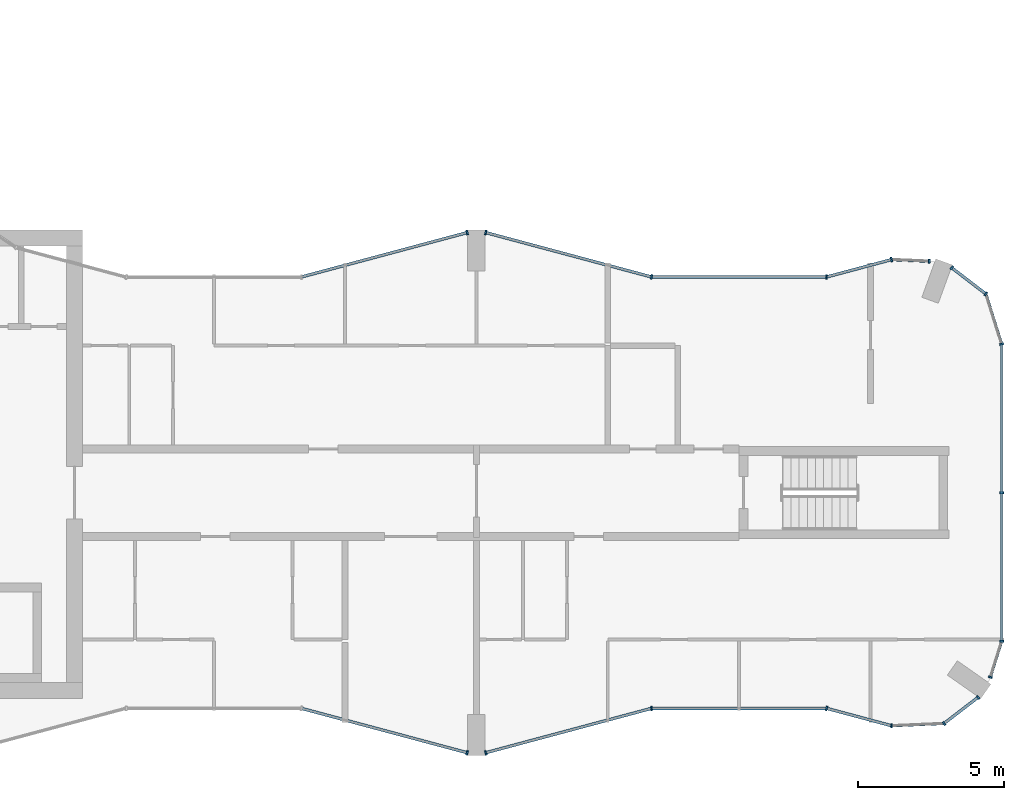
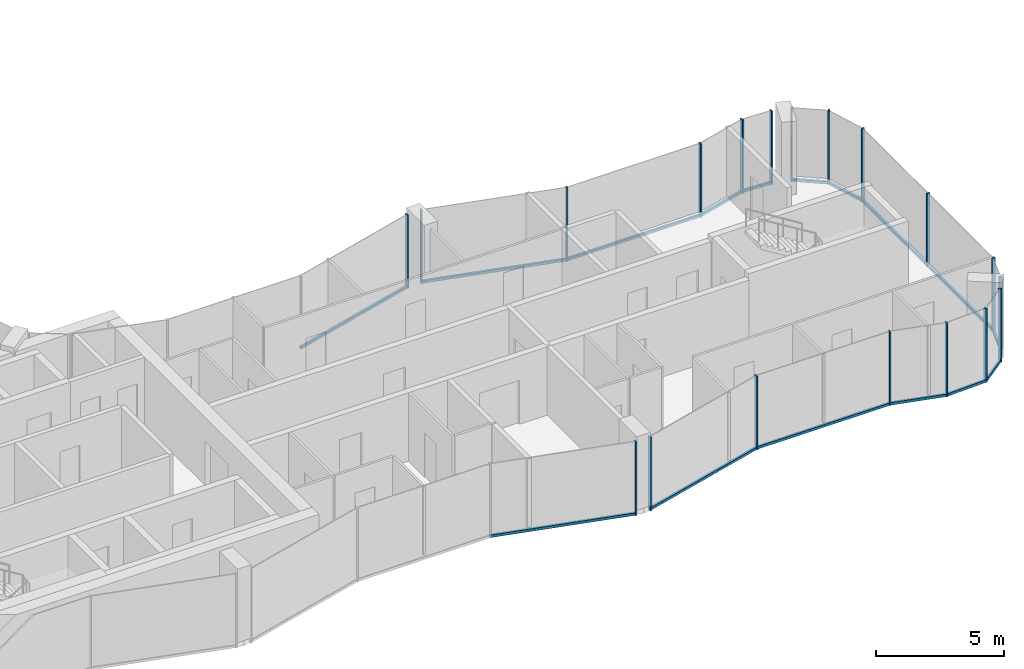
# One storey, part 6 of 15: 34 members, 15 elements without a shape of their own.
"""IFC4 building model written with IfcOpenShell, lengths in metres."""

from ifc_helpers import new_model, si_unit, direction, frame, origin, origin_2d, place, context, subcontext, project, spatial, rectangle, extrude, material, layer, layer_set, material_profile, profile_set, type_object, element, aggregate, save


model = new_model("IFC4")

# Units and contexts
model_context = context("Model", 3, precision=1e-05, world=origin(), true_north=direction((0.0, 1.0)))
body_context = subcontext(model_context, "Body", "Model", "MODEL_VIEW")
ifc_project = project(units=[si_unit("LENGTHUNIT", "METRE"), si_unit("AREAUNIT", "SQUARE_METRE"), si_unit("VOLUMEUNIT", "CUBIC_METRE"), si_unit("PLANEANGLEUNIT", "RADIAN"), si_unit("MASSUNIT", "GRAM", prefix="KILO")], contexts=[model_context])

# Site, building, storey
site_placement = place(None, origin())
site = spatial("IfcSite", under=ifc_project, at=site_placement, CompositionType="ELEMENT")
building_placement = place(site_placement, origin())
building = spatial("IfcBuilding", under=site, at=building_placement, Name="Plateau Cross Towers", CompositionType="ELEMENT")
storey_placement = place(building_placement, frame((0.0, 0.0, 201.39990234375)))
storey = spatial("IfcBuildingStorey", under=building, at=storey_placement, Name="L52", CompositionType="ELEMENT", Elevation=201.39990234375)

# Curtain wall, member
ifc_material_1 = material(Name="Dark low-iron glass", Category="glass")
ifc_layer_1 = layer(ifc_material_1, 0.239990234375)
ifc_layer_set_1 = layer_set([ifc_layer_1], Name="Dark low-iron glass")
curtain_wall_type_1 = type_object("IfcCurtainWallType", Name="Curtain wall flush unitised CW-B", PredefinedType="NOTDEFINED", material=ifc_layer_set_1)
curtain_wall_1_placement = place(storey_placement, origin())
curtain_wall_1 = element("IfcCurtainWall", 1, at=curtain_wall_1_placement, inside=storey, type_object=curtain_wall_type_1, Name="ENV/A/L52/A502_10", PredefinedType="NOTDEFINED")
ifc_material_2 = material(Name="Black anodised aluminium", Category="aluminium")
ifc_material_profile_1 = material_profile(ifc_material_2, rectangle(XDim=0.06005859375, YDim=0.139892578125, at=origin_2d()), Name="MULLION 60x140")
ifc_profile_set_1 = profile_set([ifc_material_profile_1], Name="Black anodised aluminium")
member_type_1 = type_object("IfcMemberType", Name="Mullion 60x140 flush unitised", PredefinedType="MULLION", material=ifc_profile_set_1)
member_1_placement = place(storey_placement, frame((50.223876953125, 1.01123046875, -0.25), z_axis=(0.0, 0.0, 1.0), x_axis=(0.999043701491, 0.043722791671, 0.0)))
member_1 = element("IfcMember", 2, at=member_1_placement, type_object=member_type_1, Name="CW-B mullion 1", PredefinedType="MULLION", context=body_context, shape_type="SweptSolid", body=[
    extrude(rectangle(XDim=0.06005859375, YDim=0.139892578125, at=origin_2d()), origin(), (0.0, 0.0, 1.0), 3.5),
])

# Curtain wall, members
curtain_wall_2_placement = place(storey_placement, origin())
curtain_wall_2 = element("IfcCurtainWall", 3, at=curtain_wall_2_placement, inside=storey, type_object=curtain_wall_type_1, Name="ENV/A/L52/A520_11", PredefinedType="NOTDEFINED")
member_2_placement = place(storey_placement, frame((52.0263671875, 1.090087890625, -0.25), z_axis=(0.0, 0.0, 1.0), x_axis=(0.793315514529, 0.608810721331, 0.0)))
member_2 = element("IfcMember", 4, at=member_2_placement, type_object=member_type_1, Name="CW-B mullion 1", PredefinedType="MULLION", context=body_context, shape_type="SweptSolid", body=[
    extrude(rectangle(XDim=0.06005859375, YDim=0.139892578125, at=origin_2d()), origin(), (0.0, 0.0, 1.0), 3.5),
])
member_3_placement = place(storey_placement, frame((53.193603515625, 1.986083984375, -0.25), z_axis=(0.0, 0.0, 1.0), x_axis=(0.793315514529, 0.608810721331, 0.0)))
member_3 = element("IfcMember", 5, at=member_3_placement, type_object=member_type_1, Name="CW-B mullion 2", PredefinedType="MULLION", context=body_context, shape_type="SweptSolid", body=[
    extrude(rectangle(XDim=0.06005859375, YDim=0.139892578125, at=origin_2d()), origin(), (0.0, 0.0, 1.0), 3.5),
])

# Curtain wall, member
curtain_wall_3_placement = place(storey_placement, origin())
curtain_wall_3 = element("IfcCurtainWall", 6, at=curtain_wall_3_placement, inside=storey, type_object=curtain_wall_type_1, Name="ENV/A/L52/A536_27", PredefinedType="NOTDEFINED")
member_4_placement = place(storey_placement, frame((53.611083984375, 2.67529296875, -0.25), z_axis=(0.0, 0.0, 1.0), x_axis=(0.300686174994, 0.95372313811, 0.0)))
member_4 = element("IfcMember", 7, at=member_4_placement, type_object=member_type_1, Name="CW-B mullion 1", PredefinedType="MULLION", context=body_context, shape_type="SweptSolid", body=[
    extrude(rectangle(XDim=0.06005859375, YDim=0.139892578125, at=origin_2d()), origin(), (0.0, 0.0, 1.0), 3.5),
])

# Curtain wall, members
curtain_wall_4_placement = place(storey_placement, origin())
curtain_wall_4 = element("IfcCurtainWall", 8, at=curtain_wall_4_placement, inside=storey, type_object=curtain_wall_type_1, Name="ENV/A/L52/A540_39", PredefinedType="NOTDEFINED")
member_5_placement = place(storey_placement, frame((54.0, 3.9091796875, -0.25), z_axis=(0.0, 0.0, 1.0), x_axis=(0.0, 1.0, 0.0)))
member_5 = element("IfcMember", 9, at=member_5_placement, type_object=member_type_1, Name="CW-B mullion 1", PredefinedType="MULLION", context=body_context, shape_type="SweptSolid", body=[
    extrude(rectangle(XDim=0.06005859375, YDim=0.139892578125, at=origin_2d()), origin(), (0.0, 0.0, 1.0), 3.5),
])
member_6_placement = place(storey_placement, frame((54.0, 9.0, -0.25), z_axis=(0.0, 0.0, 1.0), x_axis=(0.0, 1.0, 0.0)))
member_6 = element("IfcMember", 10, at=member_6_placement, type_object=member_type_1, Name="CW-B mullion 2", PredefinedType="MULLION", context=body_context, shape_type="SweptSolid", body=[
    extrude(rectangle(XDim=0.06005859375, YDim=0.139892578125, at=origin_2d()), origin(), (0.0, 0.0, 1.0), 3.5),
])

# Curtain wall, member
curtain_wall_5_placement = place(storey_placement, origin())
curtain_wall_5 = element("IfcCurtainWall", 11, at=curtain_wall_5_placement, inside=storey, type_object=curtain_wall_type_1, Name="ENV/A/L52/A540_141", PredefinedType="NOTDEFINED")
member_7_placement = place(storey_placement, frame((54.0, 14.0908203125, -0.25), z_axis=(0.0, 0.0, 1.0), x_axis=(-0.300686174994, 0.95372313811, 0.0)))
member_7 = element("IfcMember", 12, at=member_7_placement, type_object=member_type_1, Name="CW-B mullion 1", PredefinedType="MULLION", context=body_context, shape_type="SweptSolid", body=[
    extrude(rectangle(XDim=0.06005859375, YDim=0.139892578125, at=origin_2d()), origin(), (0.0, 0.0, 1.0), 3.5),
])

# Curtain wall, members
curtain_wall_6_placement = place(storey_placement, origin())
curtain_wall_6 = element("IfcCurtainWall", 13, at=curtain_wall_6_placement, inside=storey, type_object=curtain_wall_type_1, Name="ENV/A/L52/A535_158", PredefinedType="NOTDEFINED")
member_8_placement = place(storey_placement, frame((53.45751953125, 15.8115234375, -0.25), z_axis=(0.0, 0.0, 1.0), x_axis=(-0.793315514529, 0.608810721331, 0.0)))
member_8 = element("IfcMember", 14, at=member_8_placement, type_object=member_type_1, Name="CW-B mullion 1", PredefinedType="MULLION", context=body_context, shape_type="SweptSolid", body=[
    extrude(rectangle(XDim=0.06005859375, YDim=0.139892578125, at=origin_2d()), origin(), (0.0, 0.0, 1.0), 3.5),
])
member_9_placement = place(storey_placement, frame((52.290283203125, 16.707275390625, -0.25), z_axis=(0.0, 0.0, 1.0), x_axis=(-0.793315514529, 0.608810721331, 0.0)))
member_9 = element("IfcMember", 15, at=member_9_placement, type_object=member_type_1, Name="CW-B mullion 2", PredefinedType="MULLION", context=body_context, shape_type="SweptSolid", body=[
    extrude(rectangle(XDim=0.06005859375, YDim=0.139892578125, at=origin_2d()), origin(), (0.0, 0.0, 1.0), 3.5),
])

# Curtain wall, member
curtain_wall_7_placement = place(storey_placement, origin())
curtain_wall_7 = element("IfcCurtainWall", 16, at=curtain_wall_7_placement, inside=storey, type_object=curtain_wall_type_1, Name="ENV/A/L52/A515_169", PredefinedType="NOTDEFINED")
member_10_placement = place(storey_placement, frame((51.516357421875, 16.93212890625, -0.25), z_axis=(0.0, 0.0, 1.0), x_axis=(-0.999043701491, 0.043722791671, 0.0)))
member_10 = element("IfcMember", 17, at=member_10_placement, type_object=member_type_1, Name="CW-B mullion 1", PredefinedType="MULLION", context=body_context, shape_type="SweptSolid", body=[
    extrude(rectangle(XDim=0.06005859375, YDim=0.139892578125, at=origin_2d()), origin(), (0.0, 0.0, 1.0), 3.5),
])

ifc_layer_2 = layer(ifc_material_1, 0.260009765625)
ifc_layer_set_2 = layer_set([ifc_layer_2], Name="Dark low-iron glass")
curtain_wall_type_2 = type_object("IfcCurtainWallType", Name="Curtain wall fluted unitised CW-A", PredefinedType="NOTDEFINED", material=ifc_layer_set_2)
curtain_wall_8_placement = place(storey_placement, origin())
curtain_wall_8 = element("IfcCurtainWall", 18, at=curtain_wall_8_placement, inside=storey, type_object=curtain_wall_type_2, Name="ENV/A/L52/A300_16", PredefinedType="NOTDEFINED")
ifc_material_profile_2 = material_profile(ifc_material_2, rectangle(XDim=0.06005859375, YDim=0.159912109375, at=origin_2d()), Name="MULLION 60x160")
ifc_profile_set_2 = profile_set([ifc_material_profile_2], Name="Black anodised aluminium")
member_type_2 = type_object("IfcMemberType", Name="Mullion 60x160 fluted unitised", PredefinedType="MULLION", material=ifc_profile_set_2)
member_11_placement = place(storey_placement, frame((35.68212890625, 0.085205078125, -0.25), z_axis=(0.0, 0.0, 1.0), x_axis=(0.965957983404, -0.258699003279, 0.0)))
member_11 = element("IfcMember", 19, at=member_11_placement, type_object=member_type_2, Name="CW-A mullion 2", PredefinedType="MULLION", context=body_context, shape_type="SweptSolid", body=[
    extrude(rectangle(XDim=0.06005859375, YDim=0.159912109375, at=origin_2d()), origin(), (0.0, 0.0, 1.0), 3.5),
])

curtain_wall_9_placement = place(storey_placement, origin())
curtain_wall_9 = element("IfcCurtainWall", 20, at=curtain_wall_9_placement, inside=storey, type_object=curtain_wall_type_2, Name="ENV/A/L52/A363_1", PredefinedType="NOTDEFINED")
member_12_placement = place(storey_placement, frame((36.31787109375, 0.085205078125, -0.25), z_axis=(0.0, 0.0, 1.0), x_axis=(0.965957983404, 0.258699003279, 0.0)))
member_12 = element("IfcMember", 21, at=member_12_placement, type_object=member_type_2, Name="CW-A mullion 1", PredefinedType="MULLION", context=body_context, shape_type="SweptSolid", body=[
    extrude(rectangle(XDim=0.06005859375, YDim=0.159912109375, at=origin_2d()), origin(), (0.0, 0.0, 1.0), 3.5),
])

curtain_wall_10_placement = place(storey_placement, origin())
curtain_wall_10 = element("IfcCurtainWall", 22, at=curtain_wall_10_placement, inside=storey, type_object=curtain_wall_type_2, Name="ENV/A/L52/A420_16", PredefinedType="NOTDEFINED")
member_13_placement = place(storey_placement, frame((42.0, 1.60693359375, -0.25), z_axis=(0.0, 0.0, 1.0), x_axis=(1.0, 0.0, 0.0)))
member_13 = element("IfcMember", 23, at=member_13_placement, type_object=member_type_2, Name="CW-A mullion 1", PredefinedType="MULLION", context=body_context, shape_type="SweptSolid", body=[
    extrude(rectangle(XDim=0.06005859375, YDim=0.159912109375, at=origin_2d()), origin(), (0.0, 0.0, 1.0), 3.5),
])

curtain_wall_11_placement = place(storey_placement, origin())
curtain_wall_11 = element("IfcCurtainWall", 24, at=curtain_wall_11_placement, inside=storey, type_object=curtain_wall_type_2, Name="ENV/A/L52/A480_16", PredefinedType="NOTDEFINED")
member_14_placement = place(storey_placement, frame((48.0, 1.60693359375, -0.25), z_axis=(0.0, 0.0, 1.0), x_axis=(0.965957962328, -0.258699081978, 0.0)))
member_14 = element("IfcMember", 25, at=member_14_placement, type_object=member_type_2, Name="CW-A mullion 1", PredefinedType="MULLION", context=body_context, shape_type="SweptSolid", body=[
    extrude(rectangle(XDim=0.06005859375, YDim=0.159912109375, at=origin_2d()), origin(), (0.0, 0.0, 1.0), 3.5),
])

curtain_wall_12_placement = place(storey_placement, origin())
curtain_wall_12 = element("IfcCurtainWall", 26, at=curtain_wall_12_placement, inside=storey, type_object=curtain_wall_type_2, Name="ENV/A/L52/A502_170", PredefinedType="NOTDEFINED")
member_15_placement = place(storey_placement, frame((50.223876953125, 16.98876953125, -0.25), z_axis=(0.0, 0.0, 1.0), x_axis=(-0.965957962328, -0.258699081978, 0.0)))
member_15 = element("IfcMember", 27, at=member_15_placement, type_object=member_type_2, Name="CW-A mullion 1", PredefinedType="MULLION", context=body_context, shape_type="SweptSolid", body=[
    extrude(rectangle(XDim=0.06005859375, YDim=0.159912109375, at=origin_2d()), origin(), (0.0, 0.0, 1.0), 3.5),
])

curtain_wall_13_placement = place(storey_placement, origin())
curtain_wall_13 = element("IfcCurtainWall", 28, at=curtain_wall_13_placement, inside=storey, type_object=curtain_wall_type_2, Name="ENV/A/L52/A480_164", PredefinedType="NOTDEFINED")
member_16_placement = place(storey_placement, frame((48.0, 16.39306640625, -0.25), z_axis=(0.0, 0.0, 1.0), x_axis=(-1.0, 0.0, 0.0)))
member_16 = element("IfcMember", 29, at=member_16_placement, type_object=member_type_2, Name="CW-A mullion 1", PredefinedType="MULLION", context=body_context, shape_type="SweptSolid", body=[
    extrude(rectangle(XDim=0.06005859375, YDim=0.159912109375, at=origin_2d()), origin(), (0.0, 0.0, 1.0), 3.5),
])

# Curtain wall, members
curtain_wall_14_placement = place(storey_placement, origin())
curtain_wall_14 = element("IfcCurtainWall", 30, at=curtain_wall_14_placement, inside=storey, type_object=curtain_wall_type_2, Name="ENV/A/L52/A420_164", PredefinedType="NOTDEFINED")
member_17_placement = place(storey_placement, frame((42.0, 16.39306640625, -0.25), z_axis=(0.0, 0.0, 1.0), x_axis=(-0.965957983404, 0.258699003279, 0.0)))
member_17 = element("IfcMember", 31, at=member_17_placement, type_object=member_type_2, Name="CW-A mullion 1", PredefinedType="MULLION", context=body_context, shape_type="SweptSolid", body=[
    extrude(rectangle(XDim=0.06005859375, YDim=0.159912109375, at=origin_2d()), origin(), (0.0, 0.0, 1.0), 3.5),
])
member_18_placement = place(storey_placement, frame((36.31787109375, 17.914794921875, -0.25), z_axis=(0.0, 0.0, 1.0), x_axis=(-0.965957983404, 0.258699003279, 0.0)))
member_18 = element("IfcMember", 32, at=member_18_placement, type_object=member_type_2, Name="CW-A mullion 2", PredefinedType="MULLION", context=body_context, shape_type="SweptSolid", body=[
    extrude(rectangle(XDim=0.06005859375, YDim=0.159912109375, at=origin_2d()), origin(), (0.0, 0.0, 1.0), 3.5),
])

# Curtain wall, member
curtain_wall_15_placement = place(storey_placement, origin())
curtain_wall_15 = element("IfcCurtainWall", 33, at=curtain_wall_15_placement, inside=storey, type_object=curtain_wall_type_2, Name="ENV/A/L52/A357_179", PredefinedType="NOTDEFINED")
member_19_placement = place(storey_placement, frame((35.68212890625, 17.914794921875, -0.25), z_axis=(0.0, 0.0, 1.0), x_axis=(-0.965957983404, -0.258699003279, 0.0)))
member_19 = element("IfcMember", 34, at=member_19_placement, type_object=member_type_2, Name="CW-A mullion 1", PredefinedType="MULLION", context=body_context, shape_type="SweptSolid", body=[
    extrude(rectangle(XDim=0.06005859375, YDim=0.159912109375, at=origin_2d()), origin(), (0.0, 0.0, 1.0), 3.5),
])

# Member
ifc_material_profile_3 = material_profile(ifc_material_2, rectangle(XDim=0.10009765625, YDim=0.1201171875, at=origin_2d()), Name="TRANSOM 100x120")
ifc_profile_set_3 = profile_set([ifc_material_profile_3], Name="Black anodised aluminium")
member_type_3 = type_object("IfcMemberType", Name="Transom 100x120 flush unitised", PredefinedType="USERDEFINED", material=ifc_profile_set_3)
member_20_placement = place(storey_placement, frame((50.223876953125, 1.01123046875, -0.18994140625), z_axis=(0.999044377355, 0.043707345779, 0.0), x_axis=(-0.043707345779, 0.999044377355, 0.0)))
member_20 = element("IfcMember", 35, at=member_20_placement, type_object=member_type_3, Name="CW-B transom", ObjectType="TRANSOM", PredefinedType="USERDEFINED", context=body_context, shape_type="SweptSolid", body=[
    extrude(rectangle(XDim=0.10009765625, YDim=0.1201171875, at=origin_2d()), origin(), (0.0, 0.0, 1.0), 1.80419921875),
])

aggregate(curtain_wall_1, [member_1, member_20])

member_21_placement = place(storey_placement, frame((52.0263671875, 1.090087890625, -0.18994140625), z_axis=(0.793240368515, 0.608908628415, 0.0), x_axis=(-0.608908628415, 0.793240368515, 0.0)))
member_21 = element("IfcMember", 36, at=member_21_placement, type_object=member_type_3, Name="CW-B transom", ObjectType="TRANSOM", PredefinedType="USERDEFINED", context=body_context, shape_type="SweptSolid", body=[
    extrude(rectangle(XDim=0.10009765625, YDim=0.1201171875, at=origin_2d()), origin(), (0.0, 0.0, 1.0), 1.471435546875),
])

aggregate(curtain_wall_2, [member_2, member_3, member_21])

member_22_placement = place(storey_placement, frame((53.611083984375, 2.67529296875, -0.18994140625), z_axis=(0.300616528216, 0.953745093284, 0.0), x_axis=(-0.953745093284, 0.300616528216, 0.0)))
member_22 = element("IfcMember", 37, at=member_22_placement, type_object=member_type_3, Name="CW-B transom", ObjectType="TRANSOM", PredefinedType="USERDEFINED", context=body_context, shape_type="SweptSolid", body=[
    extrude(rectangle(XDim=0.10009765625, YDim=0.1201171875, at=origin_2d()), origin(), (0.0, 0.0, 1.0), 1.293701171875),
])

aggregate(curtain_wall_3, [member_4, member_22])

member_23_placement = place(storey_placement, frame((54.0, 3.9091796875, -0.18994140625), z_axis=(0.0, 1.0, 0.0), x_axis=(-1.0, 0.0, 0.0)))
member_23 = element("IfcMember", 38, at=member_23_placement, type_object=member_type_3, Name="CW-B transom", ObjectType="TRANSOM", PredefinedType="USERDEFINED", context=body_context, shape_type="SweptSolid", body=[
    extrude(rectangle(XDim=0.10009765625, YDim=0.1201171875, at=origin_2d()), origin(), (0.0, 0.0, 1.0), 10.181640625),
])

aggregate(curtain_wall_4, [member_5, member_6, member_23])

member_24_placement = place(storey_placement, frame((54.0, 14.0908203125, -0.18994140625), z_axis=(-0.30067799945, 0.953725715626, 0.0), x_axis=(-0.953725715626, -0.30067799945, 0.0)))
member_24 = element("IfcMember", 39, at=member_24_placement, type_object=member_type_3, Name="CW-B transom", ObjectType="TRANSOM", PredefinedType="USERDEFINED", context=body_context, shape_type="SweptSolid", body=[
    extrude(rectangle(XDim=0.10009765625, YDim=0.1201171875, at=origin_2d()), origin(), (0.0, 0.0, 1.0), 1.80419921875),
])

aggregate(curtain_wall_5, [member_7, member_24])

member_25_placement = place(storey_placement, frame((53.45751953125, 15.8115234375, -0.18994140625), z_axis=(-0.793320508571, 0.608804213751, 0.0), x_axis=(-0.608804213751, -0.793320508571, 0.0)))
member_25 = element("IfcMember", 40, at=member_25_placement, type_object=member_type_3, Name="CW-B transom", ObjectType="TRANSOM", PredefinedType="USERDEFINED", context=body_context, shape_type="SweptSolid", body=[
    extrude(rectangle(XDim=0.10009765625, YDim=0.1201171875, at=origin_2d()), origin(), (0.0, 0.0, 1.0), 1.471435546875),
])

aggregate(curtain_wall_6, [member_8, member_9, member_25])

member_26_placement = place(storey_placement, frame((51.516357421875, 16.93212890625, -0.18994140625), z_axis=(-0.999041144614, 0.043781175963, 0.0), x_axis=(-0.043781175963, -0.999041144614, 0.0)))
member_26 = element("IfcMember", 41, at=member_26_placement, type_object=member_type_3, Name="CW-B transom", ObjectType="TRANSOM", PredefinedType="USERDEFINED", context=body_context, shape_type="SweptSolid", body=[
    extrude(rectangle(XDim=0.10009765625, YDim=0.1201171875, at=origin_2d()), origin(), (0.0, 0.0, 1.0), 1.293701171875),
])

aggregate(curtain_wall_7, [member_10, member_26])

ifc_material_profile_4 = material_profile(ifc_material_2, rectangle(XDim=0.10009765625, YDim=0.1201171875, at=origin_2d()), Name="TRANSOM 100x120")
ifc_profile_set_4 = profile_set([ifc_material_profile_4], Name="Black anodised aluminium")
member_type_4 = type_object("IfcMemberType", Name="Transom 100x120 fluted unitised", PredefinedType="USERDEFINED", material=ifc_profile_set_4)
member_27_placement = place(storey_placement, frame((30.0, 1.60693359375, -0.18994140625), z_axis=(0.965959534794, -0.258693210465, 0.0), x_axis=(0.258693210465, 0.965959534794, 0.0)))
member_27 = element("IfcMember", 42, at=member_27_placement, type_object=member_type_4, Name="CW-A transom", ObjectType="TRANSOM", PredefinedType="USERDEFINED", context=body_context, shape_type="SweptSolid", body=[
    extrude(rectangle(XDim=0.10009765625, YDim=0.1201171875, at=origin_2d()), origin(), (0.0, 0.0, 1.0), 5.88232421875),
])

aggregate(curtain_wall_8, [member_11, member_27])

member_28_placement = place(storey_placement, frame((36.31787109375, 0.085205078125, -0.18994140625), z_axis=(0.965959534794, 0.258693210465, 0.0), x_axis=(-0.258693210465, 0.965959534794, 0.0)))
member_28 = element("IfcMember", 43, at=member_28_placement, type_object=member_type_4, Name="CW-A transom", ObjectType="TRANSOM", PredefinedType="USERDEFINED", context=body_context, shape_type="SweptSolid", body=[
    extrude(rectangle(XDim=0.10009765625, YDim=0.1201171875, at=origin_2d()), origin(), (0.0, 0.0, 1.0), 5.88232421875),
])

aggregate(curtain_wall_9, [member_12, member_28])

member_29_placement = place(storey_placement, frame((42.0, 1.60693359375, -0.18994140625), z_axis=(1.0, 0.0, 0.0), x_axis=(0.0, 1.0, 0.0)))
member_29 = element("IfcMember", 44, at=member_29_placement, type_object=member_type_4, Name="CW-A transom", ObjectType="TRANSOM", PredefinedType="USERDEFINED", context=body_context, shape_type="SweptSolid", body=[
    extrude(rectangle(XDim=0.10009765625, YDim=0.1201171875, at=origin_2d()), origin(), (0.0, 0.0, 1.0), 6.0),
])

aggregate(curtain_wall_10, [member_13, member_29])

member_30_placement = place(storey_placement, frame((48.0, 1.60693359375, -0.18994140625), z_axis=(0.965945685136, -0.258744919501, 0.0), x_axis=(0.258744919501, 0.965945685136, 0.0)))
member_30 = element("IfcMember", 45, at=member_30_placement, type_object=member_type_4, Name="CW-A transom", ObjectType="TRANSOM", PredefinedType="USERDEFINED", context=body_context, shape_type="SweptSolid", body=[
    extrude(rectangle(XDim=0.10009765625, YDim=0.1201171875, at=origin_2d()), origin(), (0.0, 0.0, 1.0), 2.30224609375),
])

aggregate(curtain_wall_11, [member_14, member_30])

member_31_placement = place(storey_placement, frame((50.223876953125, 16.98876953125, -0.18994140625), z_axis=(-0.965945685136, -0.258744919501, 0.0), x_axis=(0.258744919501, -0.965945685136, 0.0)))
member_31 = element("IfcMember", 46, at=member_31_placement, type_object=member_type_4, Name="CW-A transom", ObjectType="TRANSOM", PredefinedType="USERDEFINED", context=body_context, shape_type="SweptSolid", body=[
    extrude(rectangle(XDim=0.10009765625, YDim=0.1201171875, at=origin_2d()), origin(), (0.0, 0.0, 1.0), 2.30224609375),
])

aggregate(curtain_wall_12, [member_15, member_31])

member_32_placement = place(storey_placement, frame((48.0, 16.39306640625, -0.18994140625), z_axis=(-1.0, 0.0, 0.0), x_axis=(0.0, -1.0, 0.0)))
member_32 = element("IfcMember", 47, at=member_32_placement, type_object=member_type_4, Name="CW-A transom", ObjectType="TRANSOM", PredefinedType="USERDEFINED", context=body_context, shape_type="SweptSolid", body=[
    extrude(rectangle(XDim=0.10009765625, YDim=0.1201171875, at=origin_2d()), origin(), (0.0, 0.0, 1.0), 6.0),
])

aggregate(curtain_wall_13, [member_16, member_32])

member_33_placement = place(storey_placement, frame((42.0, 16.39306640625, -0.18994140625), z_axis=(-0.965959534794, 0.258693210465, 0.0), x_axis=(-0.258693210465, -0.965959534794, 0.0)))
member_33 = element("IfcMember", 48, at=member_33_placement, type_object=member_type_4, Name="CW-A transom", ObjectType="TRANSOM", PredefinedType="USERDEFINED", context=body_context, shape_type="SweptSolid", body=[
    extrude(rectangle(XDim=0.10009765625, YDim=0.1201171875, at=origin_2d()), origin(), (0.0, 0.0, 1.0), 5.88232421875),
])

aggregate(curtain_wall_14, [member_17, member_18, member_33])

member_34_placement = place(storey_placement, frame((35.68212890625, 17.914794921875, -0.18994140625), z_axis=(-0.965959534794, -0.258693210465, 0.0), x_axis=(0.258693210465, -0.965959534794, 0.0)))
member_34 = element("IfcMember", 49, at=member_34_placement, type_object=member_type_4, Name="CW-A transom", ObjectType="TRANSOM", PredefinedType="USERDEFINED", context=body_context, shape_type="SweptSolid", body=[
    extrude(rectangle(XDim=0.10009765625, YDim=0.1201171875, at=origin_2d()), origin(), (0.0, 0.0, 1.0), 5.88232421875),
])

aggregate(curtain_wall_15, [member_19, member_34])

save(model, "model.ifc")
